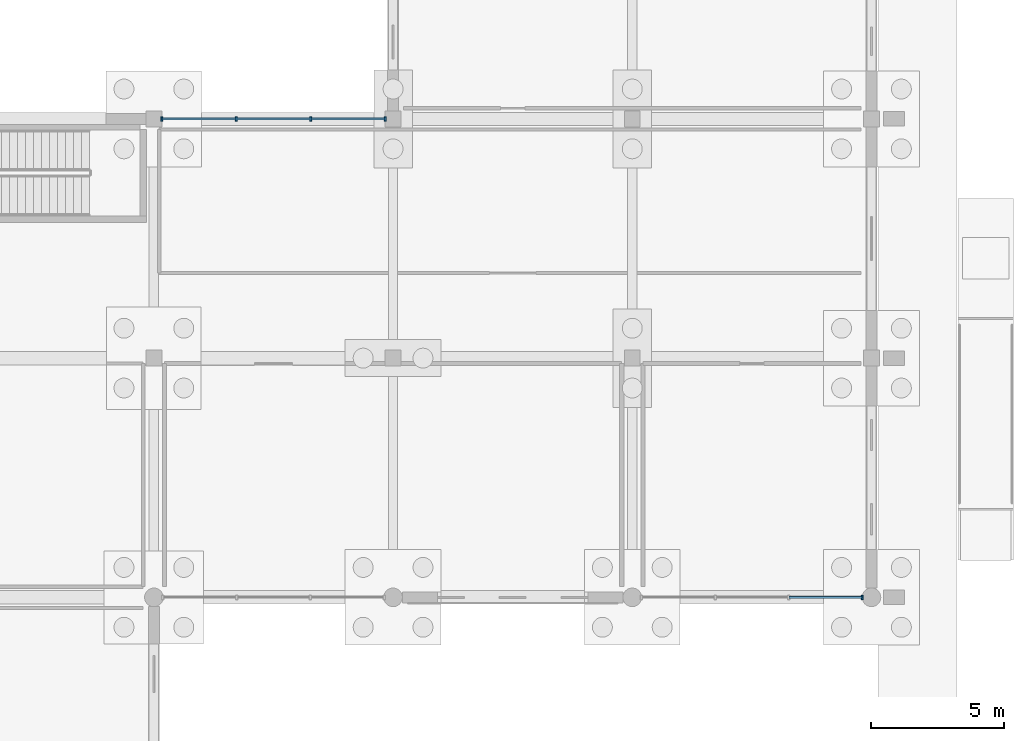
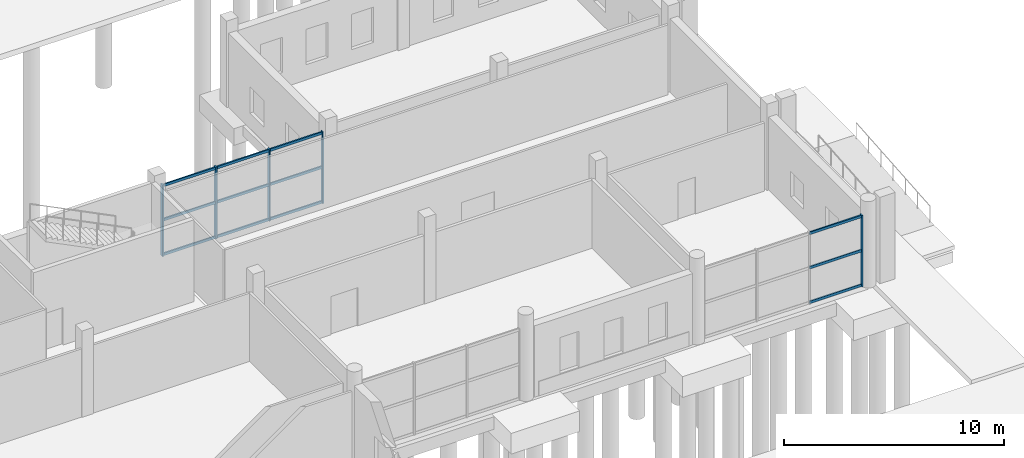
# One storey, part 56 of 112: 17 members, 2 elements without a shape of their own.
"""IFC4 building model written with IfcOpenShell, lengths in metres."""

from ifc_helpers import new_model, si_unit, direction, frame, origin, origin_2d, place, context, subcontext, project, spatial, rectangle, extrude, material, material_profile, profile_set, type_object, element, aggregate, save


model = new_model("IFC4")

# Units and contexts
model_context = context("Model", 3, precision=1e-05, world=origin(), true_north=direction((0.0, 1.0)))
body_context = subcontext(model_context, "Body", "Model", "MODEL_VIEW")
ifc_project = project(units=[si_unit("LENGTHUNIT", "METRE"), si_unit("AREAUNIT", "SQUARE_METRE"), si_unit("VOLUMEUNIT", "CUBIC_METRE"), si_unit("PLANEANGLEUNIT", "RADIAN"), si_unit("MASSUNIT", "GRAM", prefix="KILO")], contexts=[model_context])

# Site, building, storey
site_placement = place(None, origin())
site = spatial("IfcSite", under=ifc_project, at=site_placement, CompositionType="ELEMENT")
building_placement = place(site_placement, origin())
building = spatial("IfcBuilding", under=site, at=building_placement, Name="Tharagai Park Tramway Depot", CompositionType="ELEMENT")
storey_placement = place(building_placement, origin())
storey = spatial("IfcBuildingStorey", under=building, at=storey_placement, Name="L00", CompositionType="ELEMENT", Elevation=0.0)

# Curtain wall, member
ifc_material = material(Name="Anodised aluminium", Category="aluminium")
curtain_wall_type = type_object("IfcCurtainWallType", Name="CW-05", PredefinedType="NOTDEFINED", material=ifc_material)
curtain_wall_1_placement = place(storey_placement, origin())
curtain_wall_1 = element("IfcCurtainWall", 1, at=curtain_wall_1_placement, inside=storey, type_object=curtain_wall_type, Name="L00 V5 Gothic Mullioned Curtain Wall CW-05", PredefinedType="NOTDEFINED")
ifc_material_profile_1 = material_profile(ifc_material, rectangle(XDim=0.074951171875, YDim=0.175048828125, at=origin_2d()), Name="ALU 75x175")
ifc_profile_set_1 = profile_set([ifc_material_profile_1], Name="Anodised aluminium")
member_type_1 = type_object("IfcMemberType", Name="CM-02", PredefinedType="MULLION", material=ifc_profile_set_1)
member_1_placement = place(storey_placement, frame((215.659912109375, 9.0, -0.0048828125), z_axis=(0.0, 0.0, 1.0), x_axis=(1.0, 0.0, 0.0)))
member_1 = element("IfcMember", 2, at=member_1_placement, type_object=member_type_1, Name="L00 V5 Gothic Mullioned Curtain Wall Mullion 4", PredefinedType="MULLION", context=body_context, shape_type="SweptSolid", body=[
    extrude(rectangle(XDim=0.074951171875, YDim=0.175048828125, at=origin_2d()), origin(), (0.0, 0.0, 1.0), 3.97998046875),
])

# Curtain wall, members
curtain_wall_2_placement = place(storey_placement, origin())
curtain_wall_2 = element("IfcCurtainWall", 3, at=curtain_wall_2_placement, inside=storey, type_object=curtain_wall_type, Name="L00 V5 Gothic Mullioned Curtain Wall CW-05", PredefinedType="NOTDEFINED")
member_2_placement = place(storey_placement, frame((189.2900390625, 27.0, -0.0048828125), z_axis=(0.0, 0.0, 1.0), x_axis=(1.0, 0.0, 0.0)))
member_2 = element("IfcMember", 4, at=member_2_placement, type_object=member_type_1, Name="L00 V5 Gothic Mullioned Curtain Wall Mullion 1", PredefinedType="MULLION", context=body_context, shape_type="SweptSolid", body=[
    extrude(rectangle(XDim=0.074951171875, YDim=0.175048828125, at=origin_2d()), origin(), (0.0, 0.0, 1.0), 3.97998046875),
])
member_3_placement = place(storey_placement, frame((192.0966796875, 27.0, -0.0048828125), z_axis=(0.0, 0.0, 1.0), x_axis=(1.0, 0.0, 0.0)))
member_3 = element("IfcMember", 5, at=member_3_placement, type_object=member_type_1, Name="L00 V5 Gothic Mullioned Curtain Wall Mullion 2", PredefinedType="MULLION", context=body_context, shape_type="SweptSolid", body=[
    extrude(rectangle(XDim=0.074951171875, YDim=0.175048828125, at=origin_2d()), origin(), (0.0, 0.0, 1.0), 3.97998046875),
])
member_4_placement = place(storey_placement, frame((194.9033203125, 27.0, -0.0048828125), z_axis=(0.0, 0.0, 1.0), x_axis=(1.0, 0.0, 0.0)))
member_4 = element("IfcMember", 6, at=member_4_placement, type_object=member_type_1, Name="L00 V5 Gothic Mullioned Curtain Wall Mullion 3", PredefinedType="MULLION", context=body_context, shape_type="SweptSolid", body=[
    extrude(rectangle(XDim=0.074951171875, YDim=0.175048828125, at=origin_2d()), origin(), (0.0, 0.0, 1.0), 3.97998046875),
])
member_5_placement = place(storey_placement, frame((197.7099609375, 27.0, -0.0048828125), z_axis=(0.0, 0.0, 1.0), x_axis=(1.0, 0.0, 0.0)))
member_5 = element("IfcMember", 7, at=member_5_placement, type_object=member_type_1, Name="L00 V5 Gothic Mullioned Curtain Wall Mullion 4", PredefinedType="MULLION", context=body_context, shape_type="SweptSolid", body=[
    extrude(rectangle(XDim=0.074951171875, YDim=0.175048828125, at=origin_2d()), origin(), (0.0, 0.0, 1.0), 3.97998046875),
])

# Member
ifc_material_profile_2 = material_profile(ifc_material, rectangle(XDim=0.074951171875, YDim=0.139892578125, at=origin_2d()), Name="ALU 75x140")
ifc_profile_set_2 = profile_set([ifc_material_profile_2], Name="Anodised aluminium")
member_type_2 = type_object("IfcMemberType", Name="CM-04", PredefinedType="USERDEFINED", material=ifc_profile_set_2)
member_6_placement = place(storey_placement, frame((212.901611328125, 9.0, 0.06005859375), z_axis=(1.0, 0.0, 0.0), x_axis=(0.0, 1.0, 0.0)))
member_6 = element("IfcMember", 8, at=member_6_placement, type_object=member_type_2, Name="L00 V5 Gothic Mullioned Curtain Wall Transom 3.1", ObjectType="TRANSOM", PredefinedType="USERDEFINED", context=body_context, shape_type="SweptSolid", body=[
    extrude(rectangle(XDim=0.074951171875, YDim=0.139892578125, at=origin_2d()), origin(), (0.0, 0.0, 1.0), 2.743408203125),
])

member_7_placement = place(storey_placement, frame((212.901611328125, 9.0, 1.985107421875), z_axis=(1.0, 0.0, 0.0), x_axis=(0.0, 1.0, 0.0)))
member_7 = element("IfcMember", 9, at=member_7_placement, type_object=member_type_2, Name="L00 V5 Gothic Mullioned Curtain Wall Transom 3.2", ObjectType="TRANSOM", PredefinedType="USERDEFINED", context=body_context, shape_type="SweptSolid", body=[
    extrude(rectangle(XDim=0.074951171875, YDim=0.139892578125, at=origin_2d()), origin(), (0.0, 0.0, 1.0), 2.743408203125),
])

member_8_placement = place(storey_placement, frame((212.901611328125, 9.0, 3.889892578125), z_axis=(1.0, 0.0, 0.0), x_axis=(0.0, 1.0, 0.0)))
member_8 = element("IfcMember", 10, at=member_8_placement, type_object=member_type_2, Name="L00 V5 Gothic Mullioned Curtain Wall Transom 3.3", ObjectType="TRANSOM", PredefinedType="USERDEFINED", context=body_context, shape_type="SweptSolid", body=[
    extrude(rectangle(XDim=0.074951171875, YDim=0.139892578125, at=origin_2d()), origin(), (0.0, 0.0, 1.0), 2.743408203125),
])

aggregate(curtain_wall_1, [member_1, member_6, member_7, member_8])

member_9_placement = place(storey_placement, frame((189.304931640625, 27.0, 0.06005859375), z_axis=(1.0, 0.0, 0.0), x_axis=(0.0, 1.0, 0.0)))
member_9 = element("IfcMember", 11, at=member_9_placement, type_object=member_type_2, Name="L00 V5 Gothic Mullioned Curtain Wall Transom 1.1", ObjectType="TRANSOM", PredefinedType="USERDEFINED", context=body_context, shape_type="SweptSolid", body=[
    extrude(rectangle(XDim=0.074951171875, YDim=0.139892578125, at=origin_2d()), origin(), (0.0, 0.0, 1.0), 2.77685546875),
])

member_10_placement = place(storey_placement, frame((189.304931640625, 27.0, 1.985107421875), z_axis=(1.0, 0.0, 0.0), x_axis=(0.0, 1.0, 0.0)))
member_10 = element("IfcMember", 12, at=member_10_placement, type_object=member_type_2, Name="L00 V5 Gothic Mullioned Curtain Wall Transom 1.2", ObjectType="TRANSOM", PredefinedType="USERDEFINED", context=body_context, shape_type="SweptSolid", body=[
    extrude(rectangle(XDim=0.074951171875, YDim=0.139892578125, at=origin_2d()), origin(), (0.0, 0.0, 1.0), 2.77685546875),
])

member_11_placement = place(storey_placement, frame((189.304931640625, 27.0, 3.889892578125), z_axis=(1.0, 0.0, 0.0), x_axis=(0.0, 1.0, 0.0)))
member_11 = element("IfcMember", 13, at=member_11_placement, type_object=member_type_2, Name="L00 V5 Gothic Mullioned Curtain Wall Transom 1.3", ObjectType="TRANSOM", PredefinedType="USERDEFINED", context=body_context, shape_type="SweptSolid", body=[
    extrude(rectangle(XDim=0.074951171875, YDim=0.139892578125, at=origin_2d()), origin(), (0.0, 0.0, 1.0), 2.77685546875),
])

member_12_placement = place(storey_placement, frame((192.111572265625, 27.0, 0.06005859375), z_axis=(1.0, 0.0, 0.0), x_axis=(0.0, 1.0, 0.0)))
member_12 = element("IfcMember", 14, at=member_12_placement, type_object=member_type_2, Name="L00 V5 Gothic Mullioned Curtain Wall Transom 2.1", ObjectType="TRANSOM", PredefinedType="USERDEFINED", context=body_context, shape_type="SweptSolid", body=[
    extrude(rectangle(XDim=0.074951171875, YDim=0.139892578125, at=origin_2d()), origin(), (0.0, 0.0, 1.0), 2.77685546875),
])

member_13_placement = place(storey_placement, frame((192.111572265625, 27.0, 1.985107421875), z_axis=(1.0, 0.0, 0.0), x_axis=(0.0, 1.0, 0.0)))
member_13 = element("IfcMember", 15, at=member_13_placement, type_object=member_type_2, Name="L00 V5 Gothic Mullioned Curtain Wall Transom 2.2", ObjectType="TRANSOM", PredefinedType="USERDEFINED", context=body_context, shape_type="SweptSolid", body=[
    extrude(rectangle(XDim=0.074951171875, YDim=0.139892578125, at=origin_2d()), origin(), (0.0, 0.0, 1.0), 2.77685546875),
])

member_14_placement = place(storey_placement, frame((192.111572265625, 27.0, 3.889892578125), z_axis=(1.0, 0.0, 0.0), x_axis=(0.0, 1.0, 0.0)))
member_14 = element("IfcMember", 16, at=member_14_placement, type_object=member_type_2, Name="L00 V5 Gothic Mullioned Curtain Wall Transom 2.3", ObjectType="TRANSOM", PredefinedType="USERDEFINED", context=body_context, shape_type="SweptSolid", body=[
    extrude(rectangle(XDim=0.074951171875, YDim=0.139892578125, at=origin_2d()), origin(), (0.0, 0.0, 1.0), 2.77685546875),
])

member_15_placement = place(storey_placement, frame((194.918212890625, 27.0, 0.06005859375), z_axis=(1.0, 0.0, 0.0), x_axis=(0.0, 1.0, 0.0)))
member_15 = element("IfcMember", 17, at=member_15_placement, type_object=member_type_2, Name="L00 V5 Gothic Mullioned Curtain Wall Transom 3.1", ObjectType="TRANSOM", PredefinedType="USERDEFINED", context=body_context, shape_type="SweptSolid", body=[
    extrude(rectangle(XDim=0.074951171875, YDim=0.139892578125, at=origin_2d()), origin(), (0.0, 0.0, 1.0), 2.77685546875),
])

member_16_placement = place(storey_placement, frame((194.918212890625, 27.0, 1.985107421875), z_axis=(1.0, 0.0, 0.0), x_axis=(0.0, 1.0, 0.0)))
member_16 = element("IfcMember", 18, at=member_16_placement, type_object=member_type_2, Name="L00 V5 Gothic Mullioned Curtain Wall Transom 3.2", ObjectType="TRANSOM", PredefinedType="USERDEFINED", context=body_context, shape_type="SweptSolid", body=[
    extrude(rectangle(XDim=0.074951171875, YDim=0.139892578125, at=origin_2d()), origin(), (0.0, 0.0, 1.0), 2.77685546875),
])

member_17_placement = place(storey_placement, frame((194.918212890625, 27.0, 3.889892578125), z_axis=(1.0, 0.0, 0.0), x_axis=(0.0, 1.0, 0.0)))
member_17 = element("IfcMember", 19, at=member_17_placement, type_object=member_type_2, Name="L00 V5 Gothic Mullioned Curtain Wall Transom 3.3", ObjectType="TRANSOM", PredefinedType="USERDEFINED", context=body_context, shape_type="SweptSolid", body=[
    extrude(rectangle(XDim=0.074951171875, YDim=0.139892578125, at=origin_2d()), origin(), (0.0, 0.0, 1.0), 2.77685546875),
])

aggregate(curtain_wall_2, [member_2, member_3, member_4, member_5, member_9, member_10, member_11, member_12, member_13, member_14, member_15, member_16, member_17])

save(model, "model.ifc")
